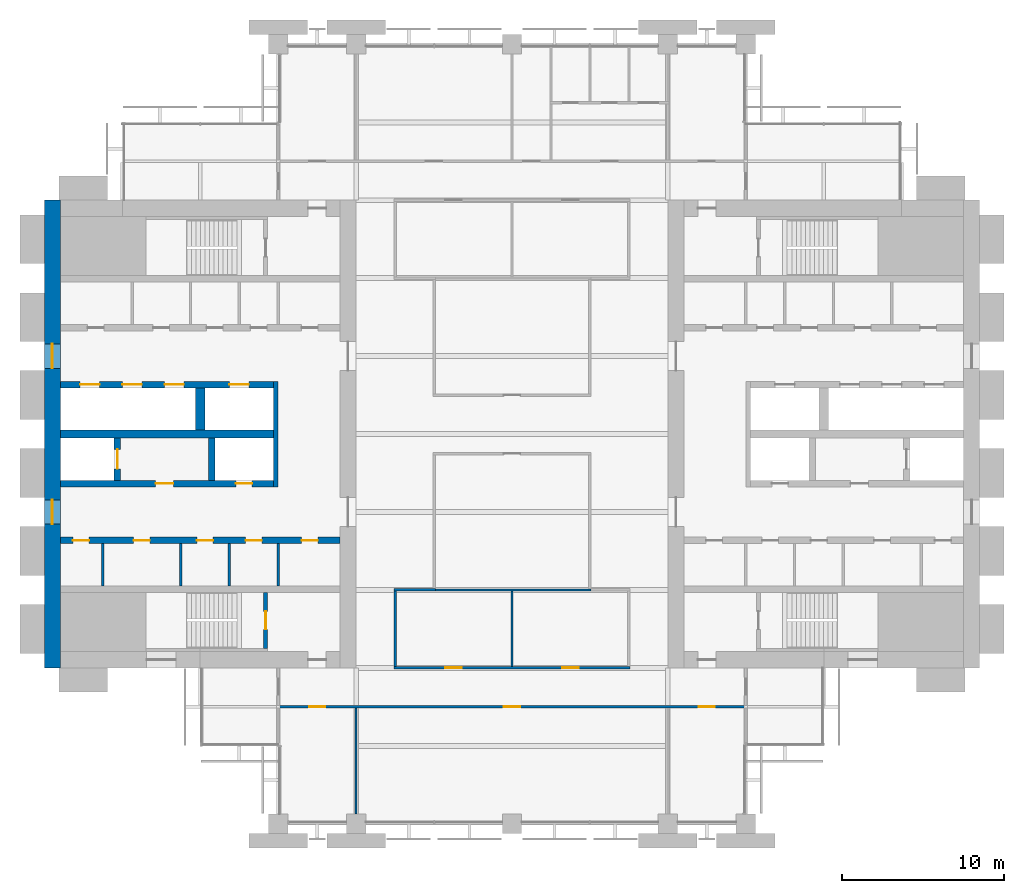
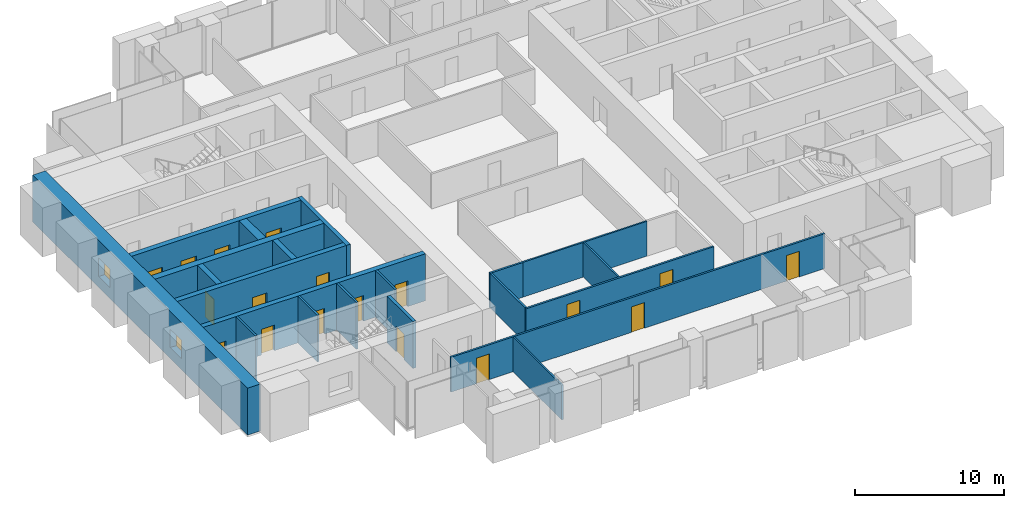
# One storey, part 9 of 14: 21 walls, 18 doors, 2 windows, 20 openings.
"""IFC4 building model written with IfcOpenShell, lengths in metres."""

from ifc_helpers import new_model, si_unit, direction, frame, frame_2d, origin, place, context, subcontext, project, spatial, rectangle, extrude, material, layer, layer_set, type_object, element, fill, save


model = new_model("IFC4")

# Units and contexts
model_context = context("Model", 3, precision=1e-05, world=origin(), true_north=direction((0.0, 1.0)))
body_context = subcontext(model_context, "Body", "Model", "MODEL_VIEW")
ifc_project = project(units=[si_unit("LENGTHUNIT", "METRE"), si_unit("AREAUNIT", "SQUARE_METRE"), si_unit("VOLUMEUNIT", "CUBIC_METRE"), si_unit("PLANEANGLEUNIT", "RADIAN"), si_unit("MASSUNIT", "GRAM", prefix="KILO")], contexts=[model_context])

# Site, building, storey
site_placement = place(None, origin())
site = spatial("IfcSite", under=ifc_project, at=site_placement, CompositionType="ELEMENT")
building_placement = place(site_placement, origin())
building = spatial("IfcBuilding", under=site, at=building_placement, Name="Baori Bourse Tower", CompositionType="ELEMENT")
storey_placement = place(building_placement, frame((0.0, 0.0, 124.10009765625)))
storey = spatial("IfcBuildingStorey", under=building, at=storey_placement, Name="L26", CompositionType="ELEMENT", Elevation=124.10009765625)

# Walls
ifc_material_1 = material(Name="Blockwork partition", Category="masonry")
ifc_layer_1 = layer(ifc_material_1, 0.14990234375)
ifc_layer_set_1 = layer_set([ifc_layer_1], Name="Core partition 150")
wall_type_1 = type_object("IfcWallType", Name="Core partition 150", PredefinedType="PARTITIONING", material=ifc_layer_set_1)
for number, where, z_axis, x_axis, name in (
    (1, (3.60009765625, 14.64990234375, 0.0), (0.0, 0.0, 1.0), (0.0, 1.0, 0.0), "Partition wall W10"),
    (2, (8.39990234375, 14.64990234375, 0.0), (0.0, 0.0, 1.0), (0.0, 1.0, 0.0), "Partition wall W11"),
    (3, (11.39990234375, 14.64990234375, 0.0), (0.0, 0.0, 1.0), (0.0, 1.0, 0.0), "Partition wall W12"),
    (4, (14.39990234375, 14.64990234375, 0.0), (0.0, 0.0, 1.0), (0.0, 1.0, 0.0), "Partition wall W13"),
):
    element("IfcWall", number, at=place(storey_placement, frame(where, z_axis=z_axis, x_axis=x_axis)), inside=storey, type_object=wall_type_1, Name=name, PredefinedType="PARTITIONING", context=body_context, shape_type="SweptSolid", body=[
        extrude(rectangle(XDim=2.60009765625, YDim=0.14990234375, at=frame_2d((1.300048828125, 0.0))), origin(), (0.0, 0.0, 1.0), 3.83984375),
    ])

# Wall, openings, windows
ifc_material_2 = material(Name="Concrete f'c 60 MPa", Category="concrete")
ifc_layer_2 = layer(ifc_material_2, 1.0)
ifc_layer_set_2 = layer_set([ifc_layer_2], Name="Core wall 1000 f'c 60")
wall_type_2 = type_object("IfcWallType", Name="Core wall 1000 f'c 60", PredefinedType="SHEAR", material=ifc_layer_set_2)
wall_1_placement = place(storey_placement, frame((0.5, 9.60009765625, 0.0), z_axis=(0.0, 0.0, 1.0), x_axis=(0.0, 1.0, 0.0)))
wall_1 = element("IfcWall", 5, at=wall_1_placement, inside=storey, type_object=wall_type_2, Name="Core wall W01", PredefinedType="SHEAR", context=body_context, shape_type="SweptSolid", body=[
    extrude(rectangle(XDim=28.7998046875, YDim=1.0, at=frame_2d((14.39990234375, 0.0))), origin(), (0.0, 0.0, 1.0), 3.83984375),
])
opening_1_placement = place(wall_1_placement, frame((8.85009765625, 0.0, 0.89990234375)))
opening_1 = element("IfcOpeningElement", 6, at=opening_1_placement, cuts=wall_1, Name="Opening L26-KW101", PredefinedType="OPENING", context=body_context, shape_type="SweptSolid", body=[
    extrude(rectangle(XDim=1.5, YDim=1.5, at=frame_2d((0.75, 0.75))), frame((0.0, 0.510009765625, 0.0), z_axis=(0.0, -1.0, 0.0), x_axis=(1.0, 0.0, 0.0)), (0.0, 0.0, 1.0), 1.02001953125),
])
opening_2_placement = place(wall_1_placement, frame((18.449951171875, 0.0, 0.89990234375)))
opening_2 = element("IfcOpeningElement", 7, at=opening_2_placement, cuts=wall_1, Name="Opening L26-KW102", PredefinedType="OPENING", context=body_context, shape_type="SweptSolid", body=[
    extrude(rectangle(XDim=1.5, YDim=1.5, at=frame_2d((0.75, 0.75))), frame((0.0, 0.510009765625, 0.0), z_axis=(0.0, -1.0, 0.0), x_axis=(1.0, 0.0, 0.0)), (0.0, 0.0, 1.0), 1.02001953125),
])
ifc_material_3 = material(Name="Pale anodised aluminium", Category="aluminium")
window_type = type_object("IfcWindowType", Name="Lobby window 1500 x 1500", PartitioningType="SINGLE_PANEL", PredefinedType="WINDOW", material=ifc_material_3)
window_1_placement = place(opening_1_placement, origin())
window_1 = element("IfcWindow", 8, at=window_1_placement, inside=storey, type_object=window_type, Name="Outer wall window W L26 1", OverallHeight=1.5, OverallWidth=1.5, PartitioningType="SINGLE_PANEL", PredefinedType="WINDOW", context=body_context, shape_type="SweptSolid", body=[
    extrude(rectangle(XDim=1.5, YDim=1.5, at=frame_2d((0.75, 0.75))), frame((0.0, 0.030029296875, 0.0), z_axis=(0.0, -1.0, 0.0), x_axis=(1.0, 0.0, 0.0)), (0.0, 0.0, 1.0), 0.06005859375),
])
fill(opening_1, window_1)
window_2_placement = place(opening_2_placement, origin())
window_2 = element("IfcWindow", 9, at=window_2_placement, inside=storey, type_object=window_type, Name="Outer wall window W L26 2", OverallHeight=1.5, OverallWidth=1.5, PartitioningType="SINGLE_PANEL", PredefinedType="WINDOW", context=body_context, shape_type="SweptSolid", body=[
    extrude(rectangle(XDim=1.5, YDim=1.5, at=frame_2d((0.75, 0.75))), frame((0.0, 0.030029296875, 0.0), z_axis=(0.0, -1.0, 0.0), x_axis=(1.0, 0.0, 0.0)), (0.0, 0.0, 1.0), 0.06005859375),
])
fill(opening_2, window_2)

# Wall, openings, doors
ifc_material_4 = material(Name="Gypsum board partition")
ifc_layer_3 = layer(ifc_material_4, 0.14990234375)
ifc_layer_set_3 = layer_set([ifc_layer_3], Name="Corridor partition 150")
wall_type_3 = type_object("IfcWallType", Name="Corridor partition 150", PredefinedType="PARTITIONING", material=ifc_layer_set_3)
wall_2_placement = place(storey_placement, frame((14.324951171875, 7.199951171875, 0.0), z_axis=(0.0, 0.0, 1.0), x_axis=(1.0, 0.0, 0.0)))
wall_2 = element("IfcWall", 10, at=wall_2_placement, inside=storey, type_object=wall_type_3, Name="Partition", PredefinedType="PARTITIONING", context=body_context, shape_type="SweptSolid", body=[
    extrude(rectangle(XDim=28.949951171875, YDim=0.14990234375, at=frame_2d((14.47509765625, 0.0))), origin(), (0.0, 0.0, 1.0), 2.849365234375),
])
opening_3_placement = place(wall_2_placement, frame((1.97509765625, 0.0, 0.0)))
opening_3 = element("IfcOpeningElement", 11, at=opening_3_placement, cuts=wall_2, Name="Opening L26-D01", PredefinedType="OPENING", context=body_context, shape_type="SweptSolid", body=[
    extrude(rectangle(XDim=1.0, YDim=2.10009765625, at=frame_2d((0.5, 1.050048828125))), frame((0.0, 0.0849609375, 0.0), z_axis=(0.0, -1.0, 0.0), x_axis=(1.0, 0.0, 0.0)), (0.0, 0.0, 1.0), 0.169921875),
])
opening_4_placement = place(wall_2_placement, frame((13.97509765625, 0.0, 0.0)))
opening_4 = element("IfcOpeningElement", 12, at=opening_4_placement, cuts=wall_2, Name="Opening L26-D02", PredefinedType="OPENING", context=body_context, shape_type="SweptSolid", body=[
    extrude(rectangle(XDim=1.0, YDim=2.10009765625, at=frame_2d((0.5, 1.050048828125))), frame((0.0, 0.0849609375, 0.0), z_axis=(0.0, -1.0, 0.0), x_axis=(1.0, 0.0, 0.0)), (0.0, 0.0, 1.0), 0.169921875),
])
opening_5_placement = place(wall_2_placement, frame((25.97509765625, 0.0, 0.0)))
opening_5 = element("IfcOpeningElement", 13, at=opening_5_placement, cuts=wall_2, Name="Opening L26-D03", PredefinedType="OPENING", context=body_context, shape_type="SweptSolid", body=[
    extrude(rectangle(XDim=1.0, YDim=2.10009765625, at=frame_2d((0.5, 1.050048828125))), frame((0.0, 0.0849609375, 0.0), z_axis=(0.0, -1.0, 0.0), x_axis=(1.0, 0.0, 0.0)), (0.0, 0.0, 1.0), 0.169921875),
])
ifc_material_5 = material(Name="Timber door leaf", Category="wood")
door_type_1 = type_object("IfcDoorType", Name="Door 1000 x 2100", OperationType="SINGLE_SWING_LEFT", PredefinedType="DOOR", material=ifc_material_5)
door_1_placement = place(opening_3_placement, origin())
door_1 = element("IfcDoor", 14, at=door_1_placement, inside=storey, type_object=door_type_1, Name="Door", OperationType="SINGLE_SWING_LEFT", OverallHeight=2.10009765625, OverallWidth=1.0, PredefinedType="DOOR", context=body_context, shape_type="SweptSolid", body=[
    extrude(rectangle(XDim=1.0, YDim=2.10009765625, at=frame_2d((0.5, 1.050048828125))), frame((0.0, 0.02490234375, 0.0), z_axis=(0.0, -1.0, 0.0), x_axis=(1.0, 0.0, 0.0)), (0.0, 0.0, 1.0), 0.050048828125),
])
fill(opening_3, door_1)
door_2_placement = place(opening_4_placement, origin())
door_2 = element("IfcDoor", 15, at=door_2_placement, inside=storey, type_object=door_type_1, Name="Door", OperationType="SINGLE_SWING_RIGHT", OverallHeight=2.10009765625, OverallWidth=1.0, PredefinedType="DOOR", context=body_context, shape_type="SweptSolid", body=[
    extrude(rectangle(XDim=1.0, YDim=2.10009765625, at=frame_2d((0.5, 1.050048828125))), frame((0.0, 0.02490234375, 0.0), z_axis=(0.0, -1.0, 0.0), x_axis=(1.0, 0.0, 0.0)), (0.0, 0.0, 1.0), 0.050048828125),
])
fill(opening_4, door_2)
door_3_placement = place(opening_5_placement, origin())
door_3 = element("IfcDoor", 16, at=door_3_placement, inside=storey, type_object=door_type_1, Name="Door", OperationType="SINGLE_SWING_RIGHT", OverallHeight=2.10009765625, OverallWidth=1.0, PredefinedType="DOOR", context=body_context, shape_type="SweptSolid", body=[
    extrude(rectangle(XDim=1.0, YDim=2.10009765625, at=frame_2d((0.5, 1.050048828125))), frame((0.0, 0.02490234375, 0.0), z_axis=(0.0, -1.0, 0.0), x_axis=(1.0, 0.0, 0.0)), (0.0, 0.0, 1.0), 0.050048828125),
])
fill(opening_5, door_3)

wall_3_placement = place(storey_placement, frame((21.52490234375, 9.60009765625, 0.0), z_axis=(0.0, 0.0, 1.0), x_axis=(1.0, 0.0, 0.0)))
wall_3 = element("IfcWall", 17, at=wall_3_placement, inside=storey, type_object=wall_type_3, Name="Partition", PredefinedType="PARTITIONING", context=body_context, shape_type="SweptSolid", body=[
    extrude(rectangle(XDim=14.550048828125, YDim=0.14990234375, at=frame_2d((7.27490234375, 0.0))), origin(), (0.0, 0.0, 1.0), 2.849365234375),
])
opening_6_placement = place(wall_3_placement, frame((3.175048828125, 0.0, 0.0)))
opening_6 = element("IfcOpeningElement", 18, at=opening_6_placement, cuts=wall_3, Name="Opening L26-D04", PredefinedType="OPENING", context=body_context, shape_type="SweptSolid", body=[
    extrude(rectangle(XDim=1.0, YDim=2.10009765625, at=frame_2d((0.5, 1.050048828125))), frame((0.0, 0.0849609375, 0.0), z_axis=(0.0, -1.0, 0.0), x_axis=(1.0, 0.0, 0.0)), (0.0, 0.0, 1.0), 0.169921875),
])
opening_7_placement = place(wall_3_placement, frame((10.375, 0.0, 0.0)))
opening_7 = element("IfcOpeningElement", 19, at=opening_7_placement, cuts=wall_3, Name="Opening L26-D05", PredefinedType="OPENING", context=body_context, shape_type="SweptSolid", body=[
    extrude(rectangle(XDim=1.0, YDim=2.10009765625, at=frame_2d((0.5, 1.050048828125))), frame((0.0, 0.0849609375, 0.0), z_axis=(0.0, -1.0, 0.0), x_axis=(1.0, 0.0, 0.0)), (0.0, 0.0, 1.0), 0.169921875),
])
door_4_placement = place(opening_6_placement, origin())
door_4 = element("IfcDoor", 20, at=door_4_placement, inside=storey, type_object=door_type_1, Name="Door", OperationType="SINGLE_SWING_RIGHT", OverallHeight=2.10009765625, OverallWidth=1.0, PredefinedType="DOOR", context=body_context, shape_type="SweptSolid", body=[
    extrude(rectangle(XDim=1.0, YDim=2.10009765625, at=frame_2d((0.5, 1.050048828125))), frame((0.0, 0.02490234375, 0.0), z_axis=(0.0, -1.0, 0.0), x_axis=(1.0, 0.0, 0.0)), (0.0, 0.0, 1.0), 0.050048828125),
])
fill(opening_6, door_4)
door_5_placement = place(opening_7_placement, origin())
door_5 = element("IfcDoor", 21, at=door_5_placement, inside=storey, type_object=door_type_1, Name="Door", OperationType="SINGLE_SWING_LEFT", OverallHeight=2.10009765625, OverallWidth=1.0, PredefinedType="DOOR", context=body_context, shape_type="SweptSolid", body=[
    extrude(rectangle(XDim=1.0, YDim=2.10009765625, at=frame_2d((0.5, 1.050048828125))), frame((0.0, 0.02490234375, 0.0), z_axis=(0.0, -1.0, 0.0), x_axis=(1.0, 0.0, 0.0)), (0.0, 0.0, 1.0), 0.050048828125),
])
fill(opening_7, door_5)

# Walls
wall_4_placement = place(storey_placement, frame((21.52490234375, 14.39990234375, 0.0), z_axis=(0.0, 0.0, 1.0), x_axis=(1.0, 0.0, 0.0)))
element("IfcWall", 22, at=wall_4_placement, inside=storey, type_object=wall_type_3, Name="Partition", PredefinedType="PARTITIONING", context=body_context, shape_type="SweptSolid", body=[
    extrude(rectangle(XDim=2.550048828125, YDim=0.14990234375, at=frame_2d((1.27490234375, 0.0))), origin(), (0.0, 0.0, 1.0), 2.849365234375),
])
wall_5_placement = place(storey_placement, frame((21.60009765625, 9.675048828125, 0.0), z_axis=(0.0, 0.0, 1.0), x_axis=(0.0, 1.0, 0.0)))
element("IfcWall", 23, at=wall_5_placement, inside=storey, type_object=wall_type_3, Name="Partition", PredefinedType="PARTITIONING", context=body_context, shape_type="SweptSolid", body=[
    extrude(rectangle(XDim=4.64990234375, YDim=0.14990234375, at=frame_2d((2.324951171875, 0.0))), origin(), (0.0, 0.0, 1.0), 2.849365234375),
])
ifc_material_6 = material(Name="Gypsum board partition")
ifc_layer_4 = layer(ifc_material_6, 0.125)
ifc_layer_set_4 = layer_set([ifc_layer_4], Name="Partition 125")
wall_type_4 = type_object("IfcWallType", Name="Partition 125", PredefinedType="PARTITIONING", material=ifc_layer_set_4)
wall_6_placement = place(storey_placement, frame((24.074951171875, 14.39990234375, 0.0), z_axis=(0.0, 0.0, 1.0), x_axis=(1.0, 0.0, 0.0)))
element("IfcWall", 24, at=wall_6_placement, inside=storey, type_object=wall_type_4, Name="Partition", PredefinedType="PARTITIONING", context=body_context, shape_type="SweptSolid", body=[
    extrude(rectangle(XDim=9.60009765625, YDim=0.125, at=frame_2d((4.800048828125, 0.0))), origin(), (0.0, 0.0, 1.0), 2.849365234375),
])
wall_7_placement = place(storey_placement, frame((19.199951171875, 0.60009765625, 0.0), z_axis=(0.0, 0.0, 1.0), x_axis=(0.0, 1.0, 0.0)))
element("IfcWall", 25, at=wall_7_placement, inside=storey, type_object=wall_type_4, Name="Partition", PredefinedType="PARTITIONING", context=body_context, shape_type="SweptSolid", body=[
    extrude(rectangle(XDim=6.52490234375, YDim=0.125, at=frame_2d((3.262451171875, 0.0))), origin(), (0.0, 0.0, 1.0), 2.849365234375),
])
wall_8_placement = place(storey_placement, frame((28.800048828125, 9.675048828125, 0.0), z_axis=(0.0, 0.0, 1.0), x_axis=(0.0, 1.0, 0.0)))
element("IfcWall", 26, at=wall_8_placement, inside=storey, type_object=wall_type_4, Name="Partition", PredefinedType="PARTITIONING", context=body_context, shape_type="SweptSolid", body=[
    extrude(rectangle(XDim=4.662353515625, YDim=0.125, at=frame_2d((2.3310546875, 0.0))), origin(), (0.0, 0.0, 1.0), 2.849365234375),
])

# Wall, opening, door
ifc_material_7 = material(Name="Concrete f'c 60 MPa", Category="concrete")
ifc_layer_5 = layer(ifc_material_7, 0.25)
ifc_layer_set_5 = layer_set([ifc_layer_5], Name="Shaft wall 250 f'c 60")
wall_type_5 = type_object("IfcWallType", Name="Shaft wall 250 f'c 60", PredefinedType="SHEAR", material=ifc_layer_set_5)
wall_9_placement = place(storey_placement, frame((13.625, 10.800048828125, 0.0), z_axis=(0.0, 0.0, 1.0), x_axis=(0.0, 1.0, 0.0)))
wall_9 = element("IfcWall", 27, at=wall_9_placement, inside=storey, type_object=wall_type_5, Name="Core wall W08", PredefinedType="SHEAR", context=body_context, shape_type="SweptSolid", body=[
    extrude(rectangle(XDim=3.449951171875, YDim=0.25, at=frame_2d((1.72509765625, 0.0))), origin(), (0.0, 0.0, 1.0), 3.83984375),
])
opening_8_placement = place(wall_9_placement, frame((1.175048828125, 0.0, 0.0)))
opening_8 = element("IfcOpeningElement", 28, at=opening_8_placement, cuts=wall_9, Name="Opening L26-D101", PredefinedType="OPENING", context=body_context, shape_type="SweptSolid", body=[
    extrude(rectangle(XDim=1.10009765625, YDim=2.10009765625, at=frame_2d((0.550048828125, 1.050048828125))), frame((0.0, 0.135009765625, 0.0), z_axis=(0.0, -1.0, 0.0), x_axis=(1.0, 0.0, 0.0)), (0.0, 0.0, 1.0), 0.27001953125),
])
ifc_material_8 = material(Name="Painted steel door", Category="steel")
door_type_2 = type_object("IfcDoorType", Name="Stair door 1100", OperationType="SINGLE_SWING_LEFT", PredefinedType="DOOR", material=ifc_material_8)
door_6_placement = place(opening_8_placement, origin())
door_6 = element("IfcDoor", 29, at=door_6_placement, inside=storey, type_object=door_type_2, Name="Stair door A W L26", OperationType="SINGLE_SWING_LEFT", OverallHeight=2.10009765625, OverallWidth=1.10009765625, PredefinedType="DOOR", context=body_context, shape_type="SweptSolid", body=[
    extrude(rectangle(XDim=1.10009765625, YDim=2.10009765625, at=frame_2d((0.550048828125, 1.050048828125))), frame((0.0, 0.02490234375, 0.0), z_axis=(0.0, -1.0, 0.0), x_axis=(1.0, 0.0, 0.0)), (0.0, 0.0, 1.0), 0.050048828125),
])
fill(opening_8, door_6)

# Wall
ifc_material_9 = material(Name="Concrete f'c 60 MPa", Category="concrete")
ifc_layer_6 = layer(ifc_material_9, 0.300048828125)
ifc_layer_set_6 = layer_set([ifc_layer_6], Name="Shaft wall 300 f'c 60")
wall_type_6 = type_object("IfcWallType", Name="Shaft wall 300 f'c 60", PredefinedType="SHEAR", material=ifc_layer_set_6)
wall_10_placement = place(storey_placement, frame((14.25, 20.75, 0.0), z_axis=(0.0, 0.0, 1.0), x_axis=(0.0, 1.0, 0.0)))
element("IfcWall", 30, at=wall_10_placement, inside=storey, type_object=wall_type_6, Name="Core wall W16", PredefinedType="SHEAR", context=body_context, shape_type="SweptSolid", body=[
    extrude(rectangle(XDim=6.5, YDim=0.300048828125, at=frame_2d((3.25, 0.0))), origin(), (0.0, 0.0, 1.0), 3.83984375),
])

# Wall, openings, doors
ifc_material_10 = material(Name="Concrete f'c 60 MPa", Category="concrete")
ifc_layer_7 = layer(ifc_material_10, 0.39990234375)
ifc_layer_set_7 = layer_set([ifc_layer_7], Name="Shaft wall 400 f'c 60")
wall_type_7 = type_object("IfcWallType", Name="Shaft wall 400 f'c 60", PredefinedType="SHEAR", material=ifc_layer_set_7)
wall_11_placement = place(storey_placement, frame((1.0, 17.449951171875, 0.0), z_axis=(0.0, 0.0, 1.0), x_axis=(1.0, 0.0, 0.0)))
wall_11 = element("IfcWall", 31, at=wall_11_placement, inside=storey, type_object=wall_type_7, Name="Core wall W14", PredefinedType="SHEAR", context=body_context, shape_type="SweptSolid", body=[
    extrude(rectangle(XDim=17.199951171875, YDim=0.39990234375, at=frame_2d((8.60009765625, 0.0))), origin(), (0.0, 0.0, 1.0), 3.83984375),
])
opening_9_placement = place(wall_11_placement, frame((0.762451171875, 0.0, 0.0)))
opening_9 = element("IfcOpeningElement", 32, at=opening_9_placement, cuts=wall_11, Name="Opening L26-D114", PredefinedType="OPENING", context=body_context, shape_type="SweptSolid", body=[
    extrude(rectangle(XDim=1.0, YDim=2.10009765625, at=frame_2d((0.5, 1.050048828125))), frame((0.0, 0.2099609375, 0.0), z_axis=(0.0, -1.0, 0.0), x_axis=(1.0, 0.0, 0.0)), (0.0, 0.0, 1.0), 0.419921875),
])
opening_10_placement = place(wall_11_placement, frame((4.5, 0.0, 0.0)))
opening_10 = element("IfcOpeningElement", 33, at=opening_10_placement, cuts=wall_11, Name="Opening L26-D115", PredefinedType="OPENING", context=body_context, shape_type="SweptSolid", body=[
    extrude(rectangle(XDim=1.0, YDim=2.10009765625, at=frame_2d((0.5, 1.050048828125))), frame((0.0, 0.2099609375, 0.0), z_axis=(0.0, -1.0, 0.0), x_axis=(1.0, 0.0, 0.0)), (0.0, 0.0, 1.0), 0.419921875),
])
opening_11_placement = place(wall_11_placement, frame((8.39990234375, 0.0, 0.0)))
opening_11 = element("IfcOpeningElement", 34, at=opening_11_placement, cuts=wall_11, Name="Opening L26-D116", PredefinedType="OPENING", context=body_context, shape_type="SweptSolid", body=[
    extrude(rectangle(XDim=1.0, YDim=2.10009765625, at=frame_2d((0.5, 1.050048828125))), frame((0.0, 0.2099609375, 0.0), z_axis=(0.0, -1.0, 0.0), x_axis=(1.0, 0.0, 0.0)), (0.0, 0.0, 1.0), 0.419921875),
])
opening_12_placement = place(wall_11_placement, frame((11.39990234375, 0.0, 0.0)))
opening_12 = element("IfcOpeningElement", 35, at=opening_12_placement, cuts=wall_11, Name="Opening L26-D117", PredefinedType="OPENING", context=body_context, shape_type="SweptSolid", body=[
    extrude(rectangle(XDim=1.0, YDim=2.10009765625, at=frame_2d((0.5, 1.050048828125))), frame((0.0, 0.2099609375, 0.0), z_axis=(0.0, -1.0, 0.0), x_axis=(1.0, 0.0, 0.0)), (0.0, 0.0, 1.0), 0.419921875),
])
opening_13_placement = place(wall_11_placement, frame((14.83740234375, 0.0, 0.0)))
opening_13 = element("IfcOpeningElement", 36, at=opening_13_placement, cuts=wall_11, Name="Opening L26-D118", PredefinedType="OPENING", context=body_context, shape_type="SweptSolid", body=[
    extrude(rectangle(XDim=1.0, YDim=2.10009765625, at=frame_2d((0.5, 1.050048828125))), frame((0.0, 0.2099609375, 0.0), z_axis=(0.0, -1.0, 0.0), x_axis=(1.0, 0.0, 0.0)), (0.0, 0.0, 1.0), 0.419921875),
])
ifc_material_11 = material(Name="Painted steel door", Category="steel")
door_type_3 = type_object("IfcDoorType", Name="Core door 1000", OperationType="SINGLE_SWING_LEFT", PredefinedType="DOOR", material=ifc_material_11)
door_7_placement = place(opening_10_placement, origin())
door_7 = element("IfcDoor", 37, at=door_7_placement, inside=storey, type_object=door_type_3, Name="Men'S Wc door W L26", OperationType="SINGLE_SWING_LEFT", OverallHeight=2.10009765625, OverallWidth=1.0, PredefinedType="DOOR", context=body_context, shape_type="SweptSolid", body=[
    extrude(rectangle(XDim=1.0, YDim=2.10009765625, at=frame_2d((0.5, 1.050048828125))), frame((0.0, 0.02490234375, 0.0), z_axis=(0.0, -1.0, 0.0), x_axis=(1.0, 0.0, 0.0)), (0.0, 0.0, 1.0), 0.050048828125),
])
fill(opening_10, door_7)
door_8_placement = place(opening_11_placement, origin())
door_8 = element("IfcDoor", 38, at=door_8_placement, inside=storey, type_object=door_type_3, Name="Accessible Wc door W L26", OperationType="SINGLE_SWING_LEFT", OverallHeight=2.10009765625, OverallWidth=1.0, PredefinedType="DOOR", context=body_context, shape_type="SweptSolid", body=[
    extrude(rectangle(XDim=1.0, YDim=2.10009765625, at=frame_2d((0.5, 1.050048828125))), frame((0.0, 0.02490234375, 0.0), z_axis=(0.0, -1.0, 0.0), x_axis=(1.0, 0.0, 0.0)), (0.0, 0.0, 1.0), 0.050048828125),
])
fill(opening_11, door_8)
door_9_placement = place(opening_13_placement, origin())
door_9 = element("IfcDoor", 39, at=door_9_placement, inside=storey, type_object=door_type_3, Name="Women'S Wc door W L26", OperationType="SINGLE_SWING_LEFT", OverallHeight=2.10009765625, OverallWidth=1.0, PredefinedType="DOOR", context=body_context, shape_type="SweptSolid", body=[
    extrude(rectangle(XDim=1.0, YDim=2.10009765625, at=frame_2d((0.5, 1.050048828125))), frame((0.0, 0.02490234375, 0.0), z_axis=(0.0, -1.0, 0.0), x_axis=(1.0, 0.0, 0.0)), (0.0, 0.0, 1.0), 0.050048828125),
])
fill(opening_13, door_9)
ifc_material_12 = material(Name="Painted steel door", Category="steel")
door_type_4 = type_object("IfcDoorType", Name="Plant room door 1000", OperationType="SINGLE_SWING_LEFT", PredefinedType="DOOR", material=ifc_material_12)
door_10_placement = place(opening_9_placement, origin())
door_10 = element("IfcDoor", 40, at=door_10_placement, inside=storey, type_object=door_type_4, Name="Communications Room door W L26", OperationType="SINGLE_SWING_LEFT", OverallHeight=2.10009765625, OverallWidth=1.0, PredefinedType="DOOR", context=body_context, shape_type="SweptSolid", body=[
    extrude(rectangle(XDim=1.0, YDim=2.10009765625, at=frame_2d((0.5, 1.050048828125))), frame((0.0, 0.02490234375, 0.0), z_axis=(0.0, -1.0, 0.0), x_axis=(1.0, 0.0, 0.0)), (0.0, 0.0, 1.0), 0.050048828125),
])
fill(opening_9, door_10)
door_11_placement = place(opening_12_placement, origin())
door_11 = element("IfcDoor", 41, at=door_11_placement, inside=storey, type_object=door_type_4, Name="Communications Room door W L26", OperationType="SINGLE_SWING_LEFT", OverallHeight=2.10009765625, OverallWidth=1.0, PredefinedType="DOOR", context=body_context, shape_type="SweptSolid", body=[
    extrude(rectangle(XDim=1.0, YDim=2.10009765625, at=frame_2d((0.5, 1.050048828125))), frame((0.0, 0.02490234375, 0.0), z_axis=(0.0, -1.0, 0.0), x_axis=(1.0, 0.0, 0.0)), (0.0, 0.0, 1.0), 0.050048828125),
])
fill(opening_12, door_11)

wall_12_placement = place(storey_placement, frame((1.0, 20.949951171875, 0.0), z_axis=(0.0, 0.0, 1.0), x_axis=(1.0, 0.0, 0.0)))
wall_12 = element("IfcWall", 42, at=wall_12_placement, inside=storey, type_object=wall_type_7, Name="Core wall W15", PredefinedType="SHEAR", context=body_context, shape_type="SweptSolid", body=[
    extrude(rectangle(XDim=13.10009765625, YDim=0.39990234375, at=frame_2d((6.550048828125, 0.0))), origin(), (0.0, 0.0, 1.0), 3.83984375),
])
opening_14_placement = place(wall_12_placement, frame((5.85009765625, 0.0, 0.0)))
opening_14 = element("IfcOpeningElement", 43, at=opening_14_placement, cuts=wall_12, Name="Opening L26-D105", PredefinedType="OPENING", context=body_context, shape_type="SweptSolid", body=[
    extrude(rectangle(XDim=1.10009765625, YDim=2.10009765625, at=frame_2d((0.550048828125, 1.050048828125))), frame((0.0, 0.2099609375, 0.0), z_axis=(0.0, -1.0, 0.0), x_axis=(1.0, 0.0, 0.0)), (0.0, 0.0, 1.0), 0.419921875),
])
opening_15_placement = place(wall_12_placement, frame((10.800048828125, 0.0, 0.0)))
opening_15 = element("IfcOpeningElement", 44, at=opening_15_placement, cuts=wall_12, Name="Opening L26-D106", PredefinedType="OPENING", context=body_context, shape_type="SweptSolid", body=[
    extrude(rectangle(XDim=1.0, YDim=2.10009765625, at=frame_2d((0.5, 1.050048828125))), frame((0.0, 0.2099609375, 0.0), z_axis=(0.0, -1.0, 0.0), x_axis=(1.0, 0.0, 0.0)), (0.0, 0.0, 1.0), 0.419921875),
])
ifc_material_13 = material(Name="Painted steel door", Category="steel")
door_type_5 = type_object("IfcDoorType", Name="Lobby door 1100", OperationType="SINGLE_SWING_LEFT", PredefinedType="DOOR", material=ifc_material_13)
door_12_placement = place(opening_14_placement, origin())
door_12 = element("IfcDoor", 45, at=door_12_placement, inside=storey, type_object=door_type_5, Name="Firefighting lobby door W L26", OperationType="SINGLE_SWING_LEFT", OverallHeight=2.10009765625, OverallWidth=1.10009765625, PredefinedType="DOOR", context=body_context, shape_type="SweptSolid", body=[
    extrude(rectangle(XDim=1.10009765625, YDim=2.10009765625, at=frame_2d((0.550048828125, 1.050048828125))), frame((0.0, 0.02490234375, 0.0), z_axis=(0.0, -1.0, 0.0), x_axis=(1.0, 0.0, 0.0)), (0.0, 0.0, 1.0), 0.050048828125),
])
fill(opening_14, door_12)
ifc_material_14 = material(Name="Painted steel door", Category="steel")
door_type_6 = type_object("IfcDoorType", Name="Shaft door 1000", OperationType="SINGLE_SWING_LEFT", PredefinedType="DOOR", material=ifc_material_14)
door_13_placement = place(opening_15_placement, origin())
door_13 = element("IfcDoor", 46, at=door_13_placement, inside=storey, type_object=door_type_6, Name="Riser room door W L26", OperationType="SINGLE_SWING_LEFT", OverallHeight=2.10009765625, OverallWidth=1.0, PredefinedType="DOOR", context=body_context, shape_type="SweptSolid", body=[
    extrude(rectangle(XDim=1.0, YDim=2.10009765625, at=frame_2d((0.5, 1.050048828125))), frame((0.0, 0.02490234375, 0.0), z_axis=(0.0, -1.0, 0.0), x_axis=(1.0, 0.0, 0.0)), (0.0, 0.0, 1.0), 0.050048828125),
])
fill(opening_15, door_13)

# Wall, opening, door
wall_13_placement = place(storey_placement, frame((4.5, 21.14990234375, 0.0), z_axis=(0.0, 0.0, 1.0), x_axis=(0.0, 1.0, 0.0)))
wall_13 = element("IfcWall", 47, at=wall_13_placement, inside=storey, type_object=wall_type_7, Name="Core wall W17", PredefinedType="SHEAR", context=body_context, shape_type="SweptSolid", body=[
    extrude(rectangle(XDim=2.60009765625, YDim=0.39990234375, at=frame_2d((1.300048828125, 0.0))), origin(), (0.0, 0.0, 1.0), 3.83984375),
])
opening_16_placement = place(wall_13_placement, frame((0.699951171875, 0.0, 0.0)))
opening_16 = element("IfcOpeningElement", 48, at=opening_16_placement, cuts=wall_13, Name="Opening L26-D123", PredefinedType="OPENING", context=body_context, shape_type="SweptSolid", body=[
    extrude(rectangle(XDim=1.199951171875, YDim=2.10009765625, at=frame_2d((0.60009765625, 1.050048828125))), frame((0.0, 0.2099609375, 0.0), z_axis=(0.0, -1.0, 0.0), x_axis=(1.0, 0.0, 0.0)), (0.0, 0.0, 1.0), 0.419921875),
])
ifc_material_15 = material(Name="Stainless steel door", Category="steel")
door_type_7 = type_object("IfcDoorType", Name="Lift landing door", OperationType="DOUBLE_DOOR_SLIDING", PredefinedType="DOOR", material=ifc_material_15)
door_14_placement = place(opening_16_placement, origin())
door_14 = element("IfcDoor", 49, at=door_14_placement, inside=storey, type_object=door_type_7, Name="Lift landing door FF1 W L26", OperationType="DOUBLE_DOOR_SLIDING", OverallHeight=2.10009765625, OverallWidth=1.199951171875, PredefinedType="DOOR", context=body_context, shape_type="SweptSolid", body=[
    extrude(rectangle(XDim=1.199951171875, YDim=2.10009765625, at=frame_2d((0.60009765625, 1.050048828125))), frame((0.0, 0.02490234375, 0.0), z_axis=(0.0, -1.0, 0.0), x_axis=(1.0, 0.0, 0.0)), (0.0, 0.0, 1.0), 0.050048828125),
])
fill(opening_16, door_14)

# Wall
wall_14_placement = place(storey_placement, frame((10.300048828125, 21.14990234375, 0.0), z_axis=(0.0, 0.0, 1.0), x_axis=(0.0, 1.0, 0.0)))
element("IfcWall", 50, at=wall_14_placement, inside=storey, type_object=wall_type_7, Name="Core wall W18", PredefinedType="SHEAR", context=body_context, shape_type="SweptSolid", body=[
    extrude(rectangle(XDim=2.60009765625, YDim=0.39990234375, at=frame_2d((1.300048828125, 0.0))), origin(), (0.0, 0.0, 1.0), 3.83984375),
])

# Wall, openings, doors
wall_15_placement = place(storey_placement, frame((1.0, 27.050048828125, 0.0), z_axis=(0.0, 0.0, 1.0), x_axis=(1.0, 0.0, 0.0)))
wall_15 = element("IfcWall", 51, at=wall_15_placement, inside=storey, type_object=wall_type_7, Name="Core wall W21", PredefinedType="SHEAR", context=body_context, shape_type="SweptSolid", body=[
    extrude(rectangle(XDim=13.10009765625, YDim=0.39990234375, at=frame_2d((6.550048828125, 0.0))), origin(), (0.0, 0.0, 1.0), 3.83984375),
])
opening_17_placement = place(wall_15_placement, frame((1.199951171875, 0.0, 0.0)))
opening_17 = element("IfcOpeningElement", 52, at=opening_17_placement, cuts=wall_15, Name="Opening L26-D119", PredefinedType="OPENING", context=body_context, shape_type="SweptSolid", body=[
    extrude(rectangle(XDim=1.199951171875, YDim=2.10009765625, at=frame_2d((0.60009765625, 1.050048828125))), frame((0.0, 0.2099609375, 0.0), z_axis=(0.0, -1.0, 0.0), x_axis=(1.0, 0.0, 0.0)), (0.0, 0.0, 1.0), 0.419921875),
])
opening_18_placement = place(wall_15_placement, frame((3.800048828125, 0.0, 0.0)))
opening_18 = element("IfcOpeningElement", 53, at=opening_18_placement, cuts=wall_15, Name="Opening L26-D120", PredefinedType="OPENING", context=body_context, shape_type="SweptSolid", body=[
    extrude(rectangle(XDim=1.199951171875, YDim=2.10009765625, at=frame_2d((0.60009765625, 1.050048828125))), frame((0.0, 0.2099609375, 0.0), z_axis=(0.0, -1.0, 0.0), x_axis=(1.0, 0.0, 0.0)), (0.0, 0.0, 1.0), 0.419921875),
])
opening_19_placement = place(wall_15_placement, frame((6.39990234375, 0.0, 0.0)))
opening_19 = element("IfcOpeningElement", 54, at=opening_19_placement, cuts=wall_15, Name="Opening L26-D121", PredefinedType="OPENING", context=body_context, shape_type="SweptSolid", body=[
    extrude(rectangle(XDim=1.199951171875, YDim=2.10009765625, at=frame_2d((0.60009765625, 1.050048828125))), frame((0.0, 0.2099609375, 0.0), z_axis=(0.0, -1.0, 0.0), x_axis=(1.0, 0.0, 0.0)), (0.0, 0.0, 1.0), 0.419921875),
])
opening_20_placement = place(wall_15_placement, frame((10.39990234375, 0.0, 0.0)))
opening_20 = element("IfcOpeningElement", 55, at=opening_20_placement, cuts=wall_15, Name="Opening L26-D122", PredefinedType="OPENING", context=body_context, shape_type="SweptSolid", body=[
    extrude(rectangle(XDim=1.199951171875, YDim=2.10009765625, at=frame_2d((0.60009765625, 1.050048828125))), frame((0.0, 0.2099609375, 0.0), z_axis=(0.0, -1.0, 0.0), x_axis=(1.0, 0.0, 0.0)), (0.0, 0.0, 1.0), 0.419921875),
])
door_15_placement = place(opening_17_placement, origin())
door_15 = element("IfcDoor", 56, at=door_15_placement, inside=storey, type_object=door_type_7, Name="Lift landing door SH1 W L26", OperationType="DOUBLE_DOOR_SLIDING", OverallHeight=2.10009765625, OverallWidth=1.199951171875, PredefinedType="DOOR", context=body_context, shape_type="SweptSolid", body=[
    extrude(rectangle(XDim=1.199951171875, YDim=2.10009765625, at=frame_2d((0.60009765625, 1.050048828125))), frame((0.0, 0.02490234375, 0.0), z_axis=(0.0, -1.0, 0.0), x_axis=(1.0, 0.0, 0.0)), (0.0, 0.0, 1.0), 0.050048828125),
])
fill(opening_17, door_15)
door_16_placement = place(opening_18_placement, origin())
door_16 = element("IfcDoor", 57, at=door_16_placement, inside=storey, type_object=door_type_7, Name="Lift landing door SH2 W L26", OperationType="DOUBLE_DOOR_SLIDING", OverallHeight=2.10009765625, OverallWidth=1.199951171875, PredefinedType="DOOR", context=body_context, shape_type="SweptSolid", body=[
    extrude(rectangle(XDim=1.199951171875, YDim=2.10009765625, at=frame_2d((0.60009765625, 1.050048828125))), frame((0.0, 0.02490234375, 0.0), z_axis=(0.0, -1.0, 0.0), x_axis=(1.0, 0.0, 0.0)), (0.0, 0.0, 1.0), 0.050048828125),
])
fill(opening_18, door_16)
door_17_placement = place(opening_19_placement, origin())
door_17 = element("IfcDoor", 58, at=door_17_placement, inside=storey, type_object=door_type_7, Name="Lift landing door SH3 W L26", OperationType="DOUBLE_DOOR_SLIDING", OverallHeight=2.10009765625, OverallWidth=1.199951171875, PredefinedType="DOOR", context=body_context, shape_type="SweptSolid", body=[
    extrude(rectangle(XDim=1.199951171875, YDim=2.10009765625, at=frame_2d((0.60009765625, 1.050048828125))), frame((0.0, 0.02490234375, 0.0), z_axis=(0.0, -1.0, 0.0), x_axis=(1.0, 0.0, 0.0)), (0.0, 0.0, 1.0), 0.050048828125),
])
fill(opening_19, door_17)
door_18_placement = place(opening_20_placement, origin())
door_18 = element("IfcDoor", 59, at=door_18_placement, inside=storey, type_object=door_type_7, Name="Lift landing door SV1 W L26", OperationType="DOUBLE_DOOR_SLIDING", OverallHeight=2.10009765625, OverallWidth=1.199951171875, PredefinedType="DOOR", context=body_context, shape_type="SweptSolid", body=[
    extrude(rectangle(XDim=1.199951171875, YDim=2.10009765625, at=frame_2d((0.60009765625, 1.050048828125))), frame((0.0, 0.02490234375, 0.0), z_axis=(0.0, -1.0, 0.0), x_axis=(1.0, 0.0, 0.0)), (0.0, 0.0, 1.0), 0.050048828125),
])
fill(opening_20, door_18)

# Walls
ifc_material_16 = material(Name="Concrete f'c 60 MPa", Category="concrete")
ifc_layer_8 = layer(ifc_material_16, 0.5)
ifc_layer_set_8 = layer_set([ifc_layer_8], Name="Shaft wall 500 f'c 60")
wall_type_8 = type_object("IfcWallType", Name="Shaft wall 500 f'c 60", PredefinedType="SHEAR", material=ifc_layer_set_8)
wall_16_placement = place(storey_placement, frame((1.0, 24.0, 0.0), z_axis=(0.0, 0.0, 1.0), x_axis=(1.0, 0.0, 0.0)))
element("IfcWall", 60, at=wall_16_placement, inside=storey, type_object=wall_type_8, Name="Core wall W19", PredefinedType="SHEAR", context=body_context, shape_type="SweptSolid", body=[
    extrude(rectangle(XDim=13.10009765625, YDim=0.5, at=frame_2d((6.550048828125, 0.0))), origin(), (0.0, 0.0, 1.0), 3.83984375),
])
ifc_material_17 = material(Name="Concrete f'c 60 MPa", Category="concrete")
ifc_layer_9 = layer(ifc_material_17, 0.60009765625)
ifc_layer_set_9 = layer_set([ifc_layer_9], Name="Shaft wall 600 f'c 60")
wall_type_9 = type_object("IfcWallType", Name="Shaft wall 600 f'c 60", PredefinedType="SHEAR", material=ifc_layer_set_9)
wall_17_placement = place(storey_placement, frame((9.60009765625, 24.25, 0.0), z_axis=(0.0, 0.0, 1.0), x_axis=(0.0, 1.0, 0.0)))
element("IfcWall", 61, at=wall_17_placement, inside=storey, type_object=wall_type_9, Name="Core wall W20", PredefinedType="SHEAR", context=body_context, shape_type="SweptSolid", body=[
    extrude(rectangle(XDim=2.60009765625, YDim=0.60009765625, at=frame_2d((1.300048828125, 0.0))), origin(), (0.0, 0.0, 1.0), 3.83984375),
])

save(model, "model.ifc")
